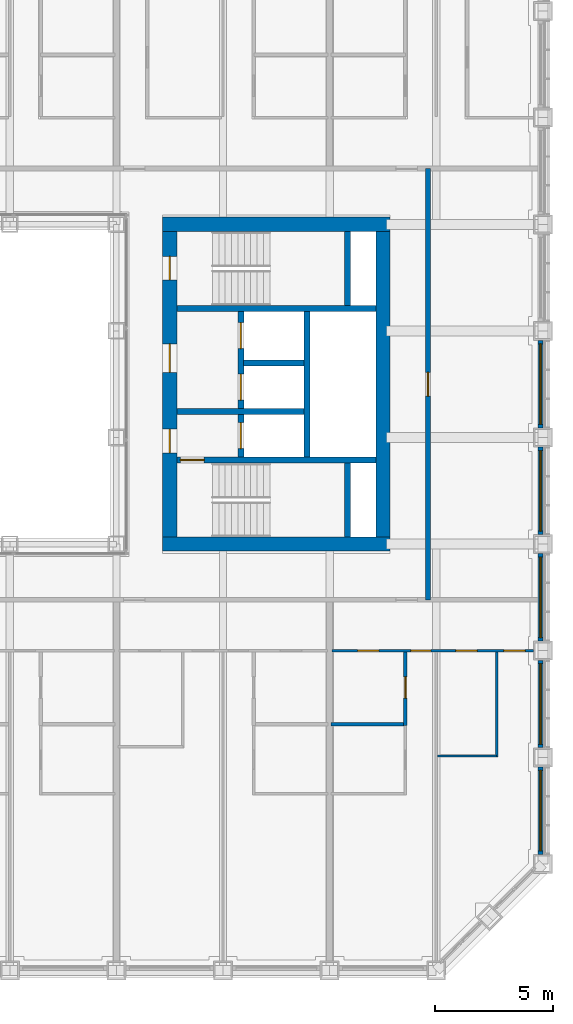
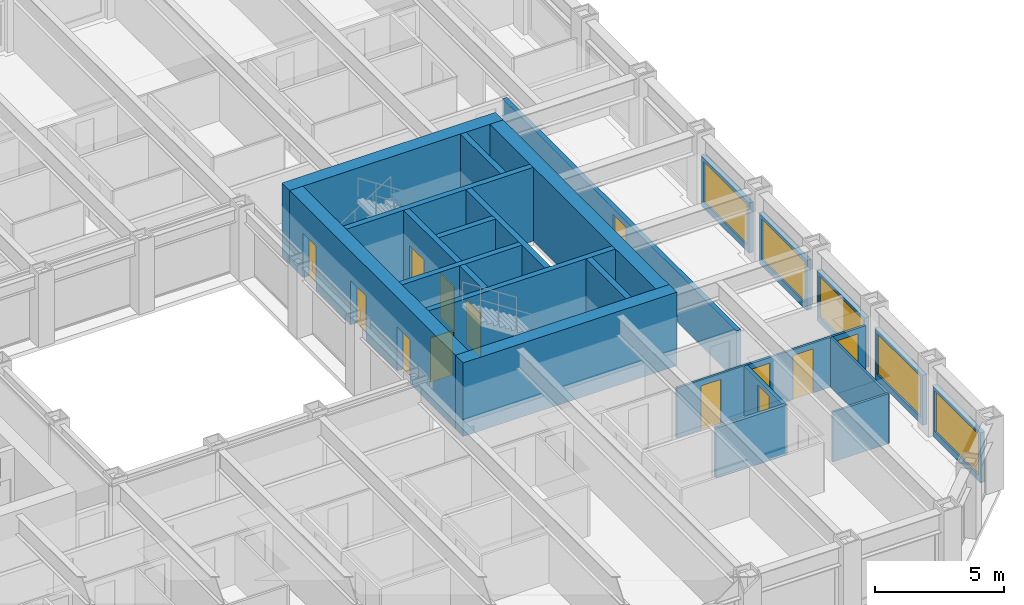
# One storey, part 12 of 21: 23 walls, 13 doors, 5 windows, 18 openings.
"""IFC4 building model written with IfcOpenShell, lengths in metres."""

import ifcopenshell
import ifcopenshell.guid

model = None  # the IFC model being written
_history = None  # IfcOwnerHistory: only IFC2X3 demands one
_inside = {}  # id of a spatial element -> (the spatial element, [elements in it])
_under = {}  # id of a project, library or spatial element -> (it, [spatial elements below it])
_declared = {}  # id of a project -> (the project, [libraries it declares])
_typed = {}  # id of a type object -> (the type object, [elements of that type])
_made_of = {}  # id of a material, layer set ... -> (it, [elements and type objects made of it])


def new_model(schema):
    """Start an empty IFC model of exactly this schema.

    Asked for "IFC4X3", IfcOpenShell would pick the latest addendum, in which some entities
    have other attributes; the version numbers below select the first issue.
    IFC2X3 requires an IfcOwnerHistory on every rooted entity: one is made here for all.
    """
    global model, _history
    if schema == "IFC4X3":
        model = ifcopenshell.file(schema_version=(4, 3, 0, 0))
    else:
        model = ifcopenshell.file(schema=schema)
    _inside.clear()
    _under.clear()
    _declared.clear()
    _typed.clear()
    _made_of.clear()
    _history = None
    if model.schema == "IFC2X3":
        org = make("IfcOrganization", Name="unknown")
        user = make(
            "IfcPersonAndOrganization",
            ThePerson=make("IfcPerson", FamilyName="unknown"),
            TheOrganization=org,
        )
        app = make(
            "IfcApplication",
            ApplicationDeveloper=org,
            Version="unknown",
            ApplicationFullName="unknown",
            ApplicationIdentifier="unknown",
        )
        _history = make(
            "IfcOwnerHistory",
            OwningUser=user,
            OwningApplication=app,
            ChangeAction="ADDED",
            CreationDate=0,
        )
    return model


def make(cls, **values):
    """One entity of the class cls with the attributes given. An attribute that is None is left unset."""
    return model.create_entity(
        cls, **{name: value for name, value in values.items() if value is not None}
    )


def rooted(cls, **values):
    """An entity with a GlobalId (a new one), such as an element, a storey or a relation."""
    return make(cls, GlobalId=ifcopenshell.guid.new(), OwnerHistory=_history, **values)


def si_unit(unit_type, name, prefix=None):
    """IfcSIUnit, for example si_unit("LENGTHUNIT", "METRE", prefix="MILLI")."""
    return make("IfcSIUnit", UnitType=unit_type, Prefix=prefix, Name=name)


def assignment(units):
    """IfcUnitAssignment: the units of a project."""
    return None if units is None else make("IfcUnitAssignment", Units=units)


def point(xyz):
    """IfcCartesianPoint."""
    return None if xyz is None else make("IfcCartesianPoint", Coordinates=xyz)


def direction(xyz):
    """IfcDirection."""
    return None if xyz is None else make("IfcDirection", DirectionRatios=xyz)


def frame(location, z_axis=None, x_axis=None):
    """IfcAxis2Placement3D, a coordinate frame: its origin and axes. An axis left out is left unset."""
    return make(
        "IfcAxis2Placement3D",
        Location=point(location),
        Axis=direction(z_axis),
        RefDirection=direction(x_axis),
    )


def frame_2d(location, x_axis=None):
    """IfcAxis2Placement2D, a coordinate frame in the plane: its origin and x axis."""
    return make(
        "IfcAxis2Placement2D", Location=point(location), RefDirection=direction(x_axis)
    )


def origin():
    """The frame at (0, 0, 0) with its axes left unset."""
    return frame((0.0, 0.0, 0.0))


def place(relative_to, where):
    """IfcLocalPlacement: puts the frame where relative to a parent placement (None: the world)."""
    return make(
        "IfcLocalPlacement", PlacementRelTo=relative_to, RelativePlacement=where
    )


def context(
    kind, dimensions, precision=None, world=None, true_north=None, identifier=None
):
    """IfcGeometricRepresentationContext, for example the 3D "Model" context."""
    return make(
        "IfcGeometricRepresentationContext",
        ContextIdentifier=identifier,
        ContextType=kind,
        CoordinateSpaceDimension=dimensions,
        Precision=precision,
        WorldCoordinateSystem=world,
        TrueNorth=true_north,
    )


def subcontext(parent, identifier, kind, view, scale=None):
    """IfcGeometricRepresentationSubContext, for example "Body" below "Model"."""
    return make(
        "IfcGeometricRepresentationSubContext",
        ContextIdentifier=identifier,
        ContextType=kind,
        ParentContext=parent,
        TargetScale=scale,
        TargetView=view,
    )


def project(units=None, contexts=None):
    """IfcProject with its units and contexts."""
    return rooted(
        "IfcProject",
        Name="project",
        RepresentationContexts=contexts,
        UnitsInContext=assignment(units),
    )


def spatial(cls, under=None, at=None, **own):
    """A site, building, storey or space (cls), placed at a placement, below another one or the project."""
    s = rooted(cls, ObjectPlacement=at, **own)
    if under is not None:
        _under.setdefault(under.id(), (under, []))[1].append(s)
    return s


def profile(cls, at=None, kind="AREA", **sizes):
    """A parametric profile (cls). Its sizes go by their IFC names, for example OverallWidth=200.0."""
    return make(cls, ProfileType=kind, Position=at, **sizes)


def rectangle(**sizes):
    """IfcRectangleProfileDef."""
    return profile("IfcRectangleProfileDef", **sizes)


def extrude(swept, where, along, depth):
    """IfcExtrudedAreaSolid: the profile swept, set in the frame where, extruded along a direction by depth."""
    return make(
        "IfcExtrudedAreaSolid",
        SweptArea=swept,
        Position=where,
        ExtrudedDirection=direction(along),
        Depth=depth,
    )


def shape(context_of_items, identifier, shape_type, items):
    """IfcShapeRepresentation: the items that make up one representation, for example the "Body"."""
    return make(
        "IfcShapeRepresentation",
        ContextOfItems=context_of_items,
        RepresentationIdentifier=identifier,
        RepresentationType=shape_type,
        Items=items,
    )


def material(Name=None, Category=None):
    """IfcMaterial."""
    return make("IfcMaterial", Name=Name, Category=Category)


def layer(
    of_material, thickness, ventilated=None, Name=None, Category=None, Priority=None
):
    """IfcMaterialLayer: one layer of a wall or slab, of a material (None: an air gap)."""
    return make(
        "IfcMaterialLayer",
        Material=of_material,
        LayerThickness=thickness,
        IsVentilated=ventilated,
        Name=Name,
        Category=Category,
        Priority=Priority,
    )


def layer_set(layers, Name=None):
    """IfcMaterialLayerSet."""
    return make("IfcMaterialLayerSet", MaterialLayers=layers, LayerSetName=Name)


def made_of(thing, what):
    """Note that an element or type object is made of a material, layer set ...; save() writes the relation."""
    if what is not None:
        _made_of.setdefault(what.id(), (what, []))[1].append(thing)
    return thing


def type_object(cls, material=None, **own):
    """A type object (cls), such as IfcWallType, which elements share."""
    return made_of(rooted(cls, **own), material)


def element(
    cls,
    number,
    at=None,
    inside=None,
    cuts=None,
    type_object=None,
    material=None,
    context=None,
    identifier="Body",
    shape_type=None,
    held_by="IfcProductDefinitionShape",
    body=None,
    shapes=None,
    **own,
):
    """One element of the class cls, such as IfcWall. Its Tag is "e" and its number.

    at: its placement. inside: the storey or other place that contains it. cuts: it is an
    opening in that element (IfcRelVoidsElement). A single representation is given by context,
    identifier, shape_type and body (its items); several are given by shapes. held_by: the class
    of the entity that holds the representations. save() writes the other relations.
    """
    e = rooted(cls, Tag="e%d" % number, ObjectPlacement=at, **own)
    if body is not None:
        shapes = [shape(context, identifier, shape_type, body)]
    if shapes is not None:
        e.Representation = make(held_by, Representations=shapes)
    if inside is not None:
        _inside.setdefault(inside.id(), (inside, []))[1].append(e)
    if cuts is not None:
        rooted(
            "IfcRelVoidsElement", RelatingBuildingElement=cuts, RelatedOpeningElement=e
        )
    if type_object is not None:
        _typed.setdefault(type_object.id(), (type_object, []))[1].append(e)
    return made_of(e, material)


def fill(opening, filler):
    """IfcRelFillsElement: the door or window that sits in an opening."""
    return rooted(
        "IfcRelFillsElement",
        RelatingOpeningElement=opening,
        RelatedBuildingElement=filler,
    )


def aggregate(whole, parts):
    """IfcRelAggregates: a whole, such as a stair, and the parts it consists of."""
    return rooted("IfcRelAggregates", RelatingObject=whole, RelatedObjects=parts)


def save(model, path):
    """Write the relations noted so far, then the file.

    IfcRelAggregates (storeys below a building ...), IfcRelContainedInSpatialStructure (elements
    in a storey), IfcRelDefinesByType, IfcRelAssociatesMaterial and IfcRelDeclares: one each for
    every whole, place, type object, material and project.
    """
    for whole, parts in _under.values():
        aggregate(whole, parts)
    for where, things in _inside.values():
        rooted(
            "IfcRelContainedInSpatialStructure",
            RelatedElements=things,
            RelatingStructure=where,
        )
    for kind, things in _typed.values():
        rooted("IfcRelDefinesByType", RelatedObjects=things, RelatingType=kind)
    for what, things in _made_of.values():
        rooted("IfcRelAssociatesMaterial", RelatedObjects=things, RelatingMaterial=what)
    for by, libraries in _declared.values():
        rooted("IfcRelDeclares", RelatingContext=by, RelatedDefinitions=libraries)
    model.write(path)


model = new_model("IFC4")

# Units and contexts
model_context = context("Model", 3, precision=1e-05, world=origin(), true_north=direction((0.0, 1.0)))
body_context = subcontext(model_context, "Body", "Model", "MODEL_VIEW")
ifc_project = project(units=[si_unit("LENGTHUNIT", "METRE"), si_unit("AREAUNIT", "SQUARE_METRE"), si_unit("VOLUMEUNIT", "CUBIC_METRE"), si_unit("PLANEANGLEUNIT", "RADIAN"), si_unit("MASSUNIT", "GRAM", prefix="KILO")], contexts=[model_context])

# Site, building, storey
site_placement = place(None, origin())
site = spatial("IfcSite", under=ifc_project, at=site_placement, CompositionType="ELEMENT")
building_placement = place(site_placement, origin())
building = spatial("IfcBuilding", under=site, at=building_placement, Name="Msasa Ring Tower", CompositionType="ELEMENT")
storey_placement = place(building_placement, frame((0.0, 0.0, 54.5)))
storey = spatial("IfcBuildingStorey", under=building, at=storey_placement, Name="L13", CompositionType="ELEMENT", Elevation=54.5)

# Walls
ifc_material_1 = material(Name="Concrete C60/75", Category="concrete")
ifc_layer_1 = layer(ifc_material_1, 0.60009765625)
ifc_layer_set_1 = layer_set([ifc_layer_1], Name="CW1 CORE WALL 600")
wall_type_1 = type_object("IfcWallType", Name="CW1 CORE WALL 600", PredefinedType="SHEAR", material=ifc_layer_set_1)
for number, where, z_axis, x_axis, name in (
    (1, (8.699951171875, -6.75, 0.0), (0.0, 0.0, 1.0), (1.0, 0.0, 0.0), "E core wall S L13"),
    (2, (8.699951171875, 6.75, 0.0), (0.0, 0.0, 1.0), (1.0, 0.0, 0.0), "E core wall N L13"),
):
    element("IfcWall", number, at=place(storey_placement, frame(where, z_axis=z_axis, x_axis=x_axis)), inside=storey, type_object=wall_type_1, Name=name, PredefinedType="SHEAR", context=body_context, shape_type="SweptSolid", body=[
        extrude(rectangle(XDim=9.60009765625, YDim=0.60009765625, at=frame_2d((4.800048828125, 0.0))), origin(), (0.0, 0.0, 1.0), 3.5),
    ])

# Wall, openings, doors
wall_1_placement = place(storey_placement, frame((9.0, -6.449951171875, 0.0), z_axis=(0.0, 0.0, 1.0), x_axis=(0.0, 1.0, 0.0)))
wall_1 = element("IfcWall", 3, at=wall_1_placement, inside=storey, type_object=wall_type_1, Name="E core wall W L13", PredefinedType="SHEAR", context=body_context, shape_type="SweptSolid", body=[
    extrude(rectangle(XDim=12.89990234375, YDim=0.60009765625, at=frame_2d((6.449951171875, 0.0))), origin(), (0.0, 0.0, 1.0), 3.5),
])
opening_1_placement = place(wall_1_placement, frame((3.550048828125, 0.0, 0.0)))
opening_1 = element("IfcOpeningElement", 4, at=opening_1_placement, cuts=wall_1, Name="Opening RC-043", PredefinedType="OPENING", context=body_context, shape_type="SweptSolid", body=[
    extrude(rectangle(XDim=1.0, YDim=2.10009765625, at=frame_2d((0.5, 1.050048828125))), frame((0.0, 0.31005859375, 0.0), z_axis=(0.0, -1.0, 0.0), x_axis=(1.0, 0.0, 0.0)), (0.0, 0.0, 1.0), 0.6201171875),
])
opening_2_placement = place(wall_1_placement, frame((6.949951171875, 0.0, 0.0)))
opening_2 = element("IfcOpeningElement", 5, at=opening_2_placement, cuts=wall_1, Name="Opening RC-039", PredefinedType="OPENING", context=body_context, shape_type="SweptSolid", body=[
    extrude(rectangle(XDim=1.199951171875, YDim=2.10009765625, at=frame_2d((0.60009765625, 1.050048828125))), frame((0.0, 0.31005859375, 0.0), z_axis=(0.0, -1.0, 0.0), x_axis=(1.0, 0.0, 0.0)), (0.0, 0.0, 1.0), 0.6201171875),
])
opening_3_placement = place(wall_1_placement, frame((10.85009765625, 0.0, 0.0)))
opening_3 = element("IfcOpeningElement", 6, at=opening_3_placement, cuts=wall_1, Name="Opening RC-037", PredefinedType="OPENING", context=body_context, shape_type="SweptSolid", body=[
    extrude(rectangle(XDim=1.0, YDim=2.10009765625, at=frame_2d((0.5, 1.050048828125))), frame((0.0, 0.31005859375, 0.0), z_axis=(0.0, -1.0, 0.0), x_axis=(1.0, 0.0, 0.0)), (0.0, 0.0, 1.0), 0.6201171875),
])
ifc_material_2 = material(Name="Timber door leaf in a steel frame", Category="steel")
door_type_1 = type_object("IfcDoorType", Name="D4 LOBBY DOOR 1000x2100", OperationType="SINGLE_SWING_LEFT", PredefinedType="DOOR", material=ifc_material_2)
door_1_placement = place(opening_1_placement, origin())
door_1 = element("IfcDoor", 7, at=door_1_placement, inside=storey, type_object=door_type_1, Name="Door L13-EFFL", OperationType="SINGLE_SWING_LEFT", OverallHeight=2.10009765625, OverallWidth=1.0, PredefinedType="DOOR", context=body_context, shape_type="SweptSolid", body=[
    extrude(rectangle(XDim=1.0, YDim=2.10009765625, at=frame_2d((0.5, 1.050048828125))), frame((0.0, 0.02490234375, 0.0), z_axis=(0.0, -1.0, 0.0), x_axis=(1.0, 0.0, 0.0)), (0.0, 0.0, 1.0), 0.050048828125),
])
fill(opening_1, door_1)
ifc_material_3 = material(Name="Timber door leaf in a steel frame", Category="steel")
door_type_2 = type_object("IfcDoorType", Name="D5 WIDE LOBBY DOOR 1200x2100", OperationType="SINGLE_SWING_LEFT", PredefinedType="DOOR", material=ifc_material_3)
door_2_placement = place(opening_2_placement, origin())
door_2 = element("IfcDoor", 8, at=door_2_placement, inside=storey, type_object=door_type_2, Name="Door L13-ELL", OperationType="SINGLE_SWING_RIGHT", OverallHeight=2.10009765625, OverallWidth=1.199951171875, PredefinedType="DOOR", context=body_context, shape_type="SweptSolid", body=[
    extrude(rectangle(XDim=1.199951171875, YDim=2.10009765625, at=frame_2d((0.60009765625, 1.050048828125))), frame((0.0, 0.02490234375, 0.0), z_axis=(0.0, -1.0, 0.0), x_axis=(1.0, 0.0, 0.0)), (0.0, 0.0, 1.0), 0.050048828125),
])
fill(opening_2, door_2)
ifc_material_4 = material(Name="Timber door leaf in a steel frame", Category="steel")
door_type_3 = type_object("IfcDoorType", Name="D6 STAIR DOOR 1000x2100", OperationType="SINGLE_SWING_LEFT", PredefinedType="DOOR", material=ifc_material_4)
door_3_placement = place(opening_3_placement, origin())
door_3 = element("IfcDoor", 9, at=door_3_placement, inside=storey, type_object=door_type_3, Name="Door L13-ESTB", OperationType="SINGLE_SWING_RIGHT", OverallHeight=2.10009765625, OverallWidth=1.0, PredefinedType="DOOR", context=body_context, shape_type="SweptSolid", body=[
    extrude(rectangle(XDim=1.0, YDim=2.10009765625, at=frame_2d((0.5, 1.050048828125))), frame((0.0, 0.02490234375, 0.0), z_axis=(0.0, -1.0, 0.0), x_axis=(1.0, 0.0, 0.0)), (0.0, 0.0, 1.0), 0.050048828125),
])
fill(opening_3, door_3)

# Wall
wall_2_placement = place(storey_placement, frame((18.0, -6.449951171875, 0.0), z_axis=(0.0, 0.0, 1.0), x_axis=(0.0, 1.0, 0.0)))
element("IfcWall", 10, at=wall_2_placement, inside=storey, type_object=wall_type_1, Name="E core wall E L13", PredefinedType="SHEAR", context=body_context, shape_type="SweptSolid", body=[
    extrude(rectangle(XDim=12.89990234375, YDim=0.60009765625, at=frame_2d((6.449951171875, 0.0))), origin(), (0.0, 0.0, 1.0), 3.5),
])

# Wall, opening, door
ifc_material_5 = material(Name="Concrete C60/75", Category="concrete")
ifc_layer_2 = layer(ifc_material_5, 0.25)
ifc_layer_set_2 = layer_set([ifc_layer_2], Name="CW4 CORE INNER WALL 250")
wall_type_2 = type_object("IfcWallType", Name="CW4 CORE INNER WALL 250", PredefinedType="SHEAR", material=ifc_layer_set_2)
wall_3_placement = place(storey_placement, frame((9.300048828125, -3.199951171875, 0.0), z_axis=(0.0, 0.0, 1.0), x_axis=(1.0, 0.0, 0.0)))
wall_3 = element("IfcWall", 11, at=wall_3_placement, inside=storey, type_object=wall_type_2, Name="E core wall STAIRA L13", PredefinedType="SHEAR", context=body_context, shape_type="SweptSolid", body=[
    extrude(rectangle(XDim=8.39990234375, YDim=0.25, at=frame_2d((4.199951171875, 0.0))), origin(), (0.0, 0.0, 1.0), 3.5),
])
opening_4_placement = place(wall_3_placement, frame((0.14990234375, 0.0, 0.0)))
opening_4 = element("IfcOpeningElement", 12, at=opening_4_placement, cuts=wall_3, Name="Opening RC-045", PredefinedType="OPENING", context=body_context, shape_type="SweptSolid", body=[
    extrude(rectangle(XDim=1.0, YDim=2.10009765625, at=frame_2d((0.5, 1.050048828125))), frame((0.0, 0.135009765625, 0.0), z_axis=(0.0, -1.0, 0.0), x_axis=(1.0, 0.0, 0.0)), (0.0, 0.0, 1.0), 0.27001953125),
])
door_4_placement = place(opening_4_placement, origin())
door_4 = element("IfcDoor", 13, at=door_4_placement, inside=storey, type_object=door_type_3, Name="Door L13-ESTA", OperationType="SINGLE_SWING_LEFT", OverallHeight=2.10009765625, OverallWidth=1.0, PredefinedType="DOOR", context=body_context, shape_type="SweptSolid", body=[
    extrude(rectangle(XDim=1.0, YDim=2.10009765625, at=frame_2d((0.5, 1.050048828125))), frame((0.0, 0.02490234375, 0.0), z_axis=(0.0, -1.0, 0.0), x_axis=(1.0, 0.0, 0.0)), (0.0, 0.0, 1.0), 0.050048828125),
])
fill(opening_4, door_4)

# Walls
wall_4_placement = place(storey_placement, frame((9.300048828125, 3.199951171875, 0.0), z_axis=(0.0, 0.0, 1.0), x_axis=(1.0, 0.0, 0.0)))
element("IfcWall", 14, at=wall_4_placement, inside=storey, type_object=wall_type_2, Name="E core wall STAIRB L13", PredefinedType="SHEAR", context=body_context, shape_type="SweptSolid", body=[
    extrude(rectangle(XDim=8.39990234375, YDim=0.25, at=frame_2d((4.199951171875, 0.0))), origin(), (0.0, 0.0, 1.0), 3.5),
])
for number, where, z_axis, x_axis, name in (
    (15, (16.5, -6.449951171875, 0.0), (0.0, 0.0, 1.0), (0.0, 1.0, 0.0), "E core wall RISERA L13"),
    (16, (16.5, 3.324951171875, 0.0), (0.0, 0.0, 1.0), (0.0, 1.0, 0.0), "E core wall RISERB L13"),
):
    element("IfcWall", number, at=place(storey_placement, frame(where, z_axis=z_axis, x_axis=x_axis)), inside=storey, type_object=wall_type_2, Name=name, PredefinedType="SHEAR", context=body_context, shape_type="SweptSolid", body=[
        extrude(rectangle(XDim=3.125, YDim=0.25, at=frame_2d((1.5625, 0.0))), origin(), (0.0, 0.0, 1.0), 3.5),
    ])
wall_5_placement = place(storey_placement, frame((9.300048828125, -1.14990234375, 0.0), z_axis=(0.0, 0.0, 1.0), x_axis=(1.0, 0.0, 0.0)))
element("IfcWall", 17, at=wall_5_placement, inside=storey, type_object=wall_type_2, Name="E core wall FFL L13", PredefinedType="SHEAR", context=body_context, shape_type="SweptSolid", body=[
    extrude(rectangle(XDim=5.375, YDim=0.25, at=frame_2d((2.6875, 0.0))), origin(), (0.0, 0.0, 1.0), 3.5),
])

# Wall, openings, doors
wall_6_placement = place(storey_placement, frame((12.0, -3.074951171875, 0.0), z_axis=(0.0, 0.0, 1.0), x_axis=(0.0, 1.0, 0.0)))
wall_6 = element("IfcWall", 18, at=wall_6_placement, inside=storey, type_object=wall_type_2, Name="E core wall LOBBY L13", PredefinedType="SHEAR", context=body_context, shape_type="SweptSolid", body=[
    extrude(rectangle(XDim=6.14990234375, YDim=0.25, at=frame_2d((3.074951171875, 0.0))), origin(), (0.0, 0.0, 1.0), 3.5),
])
opening_5_placement = place(wall_6_placement, frame((0.35009765625, 0.0, 0.0)))
opening_5 = element("IfcOpeningElement", 19, at=opening_5_placement, cuts=wall_6, Name="Opening LD1", PredefinedType="OPENING", context=body_context, shape_type="SweptSolid", body=[
    extrude(rectangle(XDim=1.10009765625, YDim=2.10009765625, at=frame_2d((0.550048828125, 1.050048828125))), frame((0.0, 0.135009765625, 0.0), z_axis=(0.0, -1.0, 0.0), x_axis=(1.0, 0.0, 0.0)), (0.0, 0.0, 1.0), 0.27001953125),
])
opening_6_placement = place(wall_6_placement, frame((2.39990234375, 0.0, 0.0)))
opening_6 = element("IfcOpeningElement", 20, at=opening_6_placement, cuts=wall_6, Name="Opening LD1", PredefinedType="OPENING", context=body_context, shape_type="SweptSolid", body=[
    extrude(rectangle(XDim=1.10009765625, YDim=2.10009765625, at=frame_2d((0.550048828125, 1.050048828125))), frame((0.0, 0.135009765625, 0.0), z_axis=(0.0, -1.0, 0.0), x_axis=(1.0, 0.0, 0.0)), (0.0, 0.0, 1.0), 0.27001953125),
])
opening_7_placement = place(wall_6_placement, frame((4.574951171875, 0.0, 0.0)))
opening_7 = element("IfcOpeningElement", 21, at=opening_7_placement, cuts=wall_6, Name="Opening LD1", PredefinedType="OPENING", context=body_context, shape_type="SweptSolid", body=[
    extrude(rectangle(XDim=1.10009765625, YDim=2.10009765625, at=frame_2d((0.550048828125, 1.050048828125))), frame((0.0, 0.135009765625, 0.0), z_axis=(0.0, -1.0, 0.0), x_axis=(1.0, 0.0, 0.0)), (0.0, 0.0, 1.0), 0.27001953125),
])
ifc_material_6 = material(Name="Stainless steel lift landing door", Category="steel")
door_type_4 = type_object("IfcDoorType", Name="LD1 LIFT LANDING DOOR 1100x2100", OperationType="DOUBLE_DOOR_SLIDING", PredefinedType="DOOR", material=ifc_material_6)
door_5_placement = place(opening_5_placement, origin())
door_5 = element("IfcDoor", 22, at=door_5_placement, inside=storey, type_object=door_type_4, Name="Lift landing door FL-E L13", OperationType="DOUBLE_DOOR_SLIDING", OverallHeight=2.10009765625, OverallWidth=1.10009765625, PredefinedType="DOOR", context=body_context, shape_type="SweptSolid", body=[
    extrude(rectangle(XDim=1.10009765625, YDim=2.10009765625, at=frame_2d((0.550048828125, 1.050048828125))), frame((0.0, 0.02490234375, 0.0), z_axis=(0.0, -1.0, 0.0), x_axis=(1.0, 0.0, 0.0)), (0.0, 0.0, 1.0), 0.050048828125),
])
fill(opening_5, door_5)
door_6_placement = place(opening_6_placement, origin())
door_6 = element("IfcDoor", 23, at=door_6_placement, inside=storey, type_object=door_type_4, Name="Lift landing door PL-R1 L13", OperationType="DOUBLE_DOOR_SLIDING", OverallHeight=2.10009765625, OverallWidth=1.10009765625, PredefinedType="DOOR", context=body_context, shape_type="SweptSolid", body=[
    extrude(rectangle(XDim=1.10009765625, YDim=2.10009765625, at=frame_2d((0.550048828125, 1.050048828125))), frame((0.0, 0.02490234375, 0.0), z_axis=(0.0, -1.0, 0.0), x_axis=(1.0, 0.0, 0.0)), (0.0, 0.0, 1.0), 0.050048828125),
])
fill(opening_6, door_6)
door_7_placement = place(opening_7_placement, origin())
door_7 = element("IfcDoor", 24, at=door_7_placement, inside=storey, type_object=door_type_4, Name="Lift landing door PL-R2 L13", OperationType="DOUBLE_DOOR_SLIDING", OverallHeight=2.10009765625, OverallWidth=1.10009765625, PredefinedType="DOOR", context=body_context, shape_type="SweptSolid", body=[
    extrude(rectangle(XDim=1.10009765625, YDim=2.10009765625, at=frame_2d((0.550048828125, 1.050048828125))), frame((0.0, 0.02490234375, 0.0), z_axis=(0.0, -1.0, 0.0), x_axis=(1.0, 0.0, 0.0)), (0.0, 0.0, 1.0), 0.050048828125),
])
fill(opening_7, door_7)

# Walls
wall_7_placement = place(storey_placement, frame((14.800048828125, -3.074951171875, 0.0), z_axis=(0.0, 0.0, 1.0), x_axis=(0.0, 1.0, 0.0)))
element("IfcWall", 25, at=wall_7_placement, inside=storey, type_object=wall_type_2, Name="E core wall SHAFT L13", PredefinedType="SHEAR", context=body_context, shape_type="SweptSolid", body=[
    extrude(rectangle(XDim=6.14990234375, YDim=0.25, at=frame_2d((3.074951171875, 0.0))), origin(), (0.0, 0.0, 1.0), 3.5),
])
wall_8_placement = place(storey_placement, frame((12.125, 0.89990234375, 0.0), z_axis=(0.0, 0.0, 1.0), x_axis=(1.0, 0.0, 0.0)))
element("IfcWall", 26, at=wall_8_placement, inside=storey, type_object=wall_type_2, Name="E core wall LIFT1 L13", PredefinedType="SHEAR", context=body_context, shape_type="SweptSolid", body=[
    extrude(rectangle(XDim=2.550048828125, YDim=0.25, at=frame_2d((1.27490234375, 0.0))), origin(), (0.0, 0.0, 1.0), 3.5),
])

# Wall, opening, window
ifc_material_7 = material(Name="Terracotta rainscreen on blockwork", Category="masonry")
ifc_layer_3 = layer(ifc_material_7, 0.199951171875)
ifc_layer_set_3 = layer_set([ifc_layer_3], Name="FW1 TERRACOTTA-LINED INFILL BAY WALL 200")
wall_type_3 = type_object("IfcWallType", Name="FW1 TERRACOTTA-LINED INFILL BAY WALL 200", PredefinedType="SOLIDWALL", material=ifc_layer_set_3)
wall_9_placement = place(storey_placement, frame((24.64990234375, -19.844970703125, 0.0), z_axis=(0.0, 0.0, 1.0), x_axis=(0.0, 1.0, 0.0)))
wall_9 = element("IfcWall", 27, at=wall_9_placement, inside=storey, type_object=wall_type_3, Name="Infill bay wall E L13 11", PredefinedType="SOLIDWALL", context=body_context, shape_type="SweptSolid", body=[
    extrude(rectangle(XDim=3.68994140625, YDim=0.199951171875, at=frame_2d((1.844970703125, 0.0))), origin(), (0.0, 0.0, 1.0), 2.37890625),
])
opening_8_placement = place(wall_9_placement, frame((0.14501953125, 0.0, 0.300048828125)))
opening_8 = element("IfcOpeningElement", 28, at=opening_8_placement, cuts=wall_9, Name="Opening WN1", PredefinedType="OPENING", context=body_context, shape_type="SweptSolid", body=[
    extrude(rectangle(XDim=3.39990234375, YDim=1.928955078125, at=frame_2d((1.699951171875, 0.96435546875))), frame((0.0, 0.10986328125, 0.0), z_axis=(0.0, -1.0, 0.0), x_axis=(1.0, 0.0, 0.0)), (0.0, 0.0, 1.0), 0.219970703125),
])
ifc_material_8 = material(Name="Aluminium frame with clear glass", Category="aluminium")
window_type = type_object("IfcWindowType", Name="WN1 RESIDENCE WINDOW 3400x1929", PartitioningType="SINGLE_PANEL", PredefinedType="WINDOW", material=ifc_material_8)
window_1_placement = place(opening_8_placement, origin())
window_1 = element("IfcWindow", 29, at=window_1_placement, inside=storey, type_object=window_type, Name="Window E L13 11", OverallHeight=1.928955078125, OverallWidth=3.39990234375, PartitioningType="SINGLE_PANEL", PredefinedType="WINDOW", context=body_context, shape_type="SweptSolid", body=[
    extrude(rectangle(XDim=3.39990234375, YDim=1.928955078125, at=frame_2d((1.699951171875, 0.96435546875))), frame((0.0, 0.030029296875, 0.0), z_axis=(0.0, -1.0, 0.0), x_axis=(1.0, 0.0, 0.0)), (0.0, 0.0, 1.0), 0.06005859375),
])
fill(opening_8, window_1)

wall_10_placement = place(storey_placement, frame((24.64990234375, -15.344970703125, 0.0), z_axis=(0.0, 0.0, 1.0), x_axis=(0.0, 1.0, 0.0)))
wall_10 = element("IfcWall", 30, at=wall_10_placement, inside=storey, type_object=wall_type_3, Name="Infill bay wall E L13 12", PredefinedType="SOLIDWALL", context=body_context, shape_type="SweptSolid", body=[
    extrude(rectangle(XDim=3.68994140625, YDim=0.199951171875, at=frame_2d((1.844970703125, 0.0))), origin(), (0.0, 0.0, 1.0), 2.37890625),
])
opening_9_placement = place(wall_10_placement, frame((0.14501953125, 0.0, 0.300048828125)))
opening_9 = element("IfcOpeningElement", 31, at=opening_9_placement, cuts=wall_10, Name="Opening WN1", PredefinedType="OPENING", context=body_context, shape_type="SweptSolid", body=[
    extrude(rectangle(XDim=3.39990234375, YDim=1.928955078125, at=frame_2d((1.699951171875, 0.96435546875))), frame((0.0, 0.10986328125, 0.0), z_axis=(0.0, -1.0, 0.0), x_axis=(1.0, 0.0, 0.0)), (0.0, 0.0, 1.0), 0.219970703125),
])
window_2_placement = place(opening_9_placement, origin())
window_2 = element("IfcWindow", 32, at=window_2_placement, inside=storey, type_object=window_type, Name="Window E L13 12", OverallHeight=1.928955078125, OverallWidth=3.39990234375, PartitioningType="SINGLE_PANEL", PredefinedType="WINDOW", context=body_context, shape_type="SweptSolid", body=[
    extrude(rectangle(XDim=3.39990234375, YDim=1.928955078125, at=frame_2d((1.699951171875, 0.96435546875))), frame((0.0, 0.030029296875, 0.0), z_axis=(0.0, -1.0, 0.0), x_axis=(1.0, 0.0, 0.0)), (0.0, 0.0, 1.0), 0.06005859375),
])
fill(opening_9, window_2)

wall_11_placement = place(storey_placement, frame((24.64990234375, -10.844970703125, 0.0), z_axis=(0.0, 0.0, 1.0), x_axis=(0.0, 1.0, 0.0)))
wall_11 = element("IfcWall", 33, at=wall_11_placement, inside=storey, type_object=wall_type_3, Name="Infill bay wall E L13 13", PredefinedType="SOLIDWALL", context=body_context, shape_type="SweptSolid", body=[
    extrude(rectangle(XDim=3.68994140625, YDim=0.199951171875, at=frame_2d((1.844970703125, 0.0))), origin(), (0.0, 0.0, 1.0), 2.37890625),
])
opening_10_placement = place(wall_11_placement, frame((0.14501953125, 0.0, 0.300048828125)))
opening_10 = element("IfcOpeningElement", 34, at=opening_10_placement, cuts=wall_11, Name="Opening WN1", PredefinedType="OPENING", context=body_context, shape_type="SweptSolid", body=[
    extrude(rectangle(XDim=3.39990234375, YDim=1.928955078125, at=frame_2d((1.699951171875, 0.96435546875))), frame((0.0, 0.10986328125, 0.0), z_axis=(0.0, -1.0, 0.0), x_axis=(1.0, 0.0, 0.0)), (0.0, 0.0, 1.0), 0.219970703125),
])
window_3_placement = place(opening_10_placement, origin())
window_3 = element("IfcWindow", 35, at=window_3_placement, inside=storey, type_object=window_type, Name="Window E L13 13", OverallHeight=1.928955078125, OverallWidth=3.39990234375, PartitioningType="SINGLE_PANEL", PredefinedType="WINDOW", context=body_context, shape_type="SweptSolid", body=[
    extrude(rectangle(XDim=3.39990234375, YDim=1.928955078125, at=frame_2d((1.699951171875, 0.96435546875))), frame((0.0, 0.030029296875, 0.0), z_axis=(0.0, -1.0, 0.0), x_axis=(1.0, 0.0, 0.0)), (0.0, 0.0, 1.0), 0.06005859375),
])
fill(opening_10, window_3)

wall_12_placement = place(storey_placement, frame((24.64990234375, -6.344970703125, 0.0), z_axis=(0.0, 0.0, 1.0), x_axis=(0.0, 1.0, 0.0)))
wall_12 = element("IfcWall", 36, at=wall_12_placement, inside=storey, type_object=wall_type_3, Name="Infill bay wall E L13 14", PredefinedType="SOLIDWALL", context=body_context, shape_type="SweptSolid", body=[
    extrude(rectangle(XDim=3.68994140625, YDim=0.199951171875, at=frame_2d((1.844970703125, 0.0))), origin(), (0.0, 0.0, 1.0), 2.37890625),
])
opening_11_placement = place(wall_12_placement, frame((0.14501953125, 0.0, 0.300048828125)))
opening_11 = element("IfcOpeningElement", 37, at=opening_11_placement, cuts=wall_12, Name="Opening WN1", PredefinedType="OPENING", context=body_context, shape_type="SweptSolid", body=[
    extrude(rectangle(XDim=3.39990234375, YDim=1.928955078125, at=frame_2d((1.699951171875, 0.96435546875))), frame((0.0, 0.10986328125, 0.0), z_axis=(0.0, -1.0, 0.0), x_axis=(1.0, 0.0, 0.0)), (0.0, 0.0, 1.0), 0.219970703125),
])
window_4_placement = place(opening_11_placement, origin())
window_4 = element("IfcWindow", 38, at=window_4_placement, inside=storey, type_object=window_type, Name="Window E L13 14", OverallHeight=1.928955078125, OverallWidth=3.39990234375, PartitioningType="SINGLE_PANEL", PredefinedType="WINDOW", context=body_context, shape_type="SweptSolid", body=[
    extrude(rectangle(XDim=3.39990234375, YDim=1.928955078125, at=frame_2d((1.699951171875, 0.96435546875))), frame((0.0, 0.030029296875, 0.0), z_axis=(0.0, -1.0, 0.0), x_axis=(1.0, 0.0, 0.0)), (0.0, 0.0, 1.0), 0.06005859375),
])
fill(opening_11, window_4)

wall_13_placement = place(storey_placement, frame((24.64990234375, -1.844970703125, 0.0), z_axis=(0.0, 0.0, 1.0), x_axis=(0.0, 1.0, 0.0)))
wall_13 = element("IfcWall", 39, at=wall_13_placement, inside=storey, type_object=wall_type_3, Name="Infill bay wall E L13 15", PredefinedType="SOLIDWALL", context=body_context, shape_type="SweptSolid", body=[
    extrude(rectangle(XDim=3.68994140625, YDim=0.199951171875, at=frame_2d((1.844970703125, 0.0))), origin(), (0.0, 0.0, 1.0), 2.37890625),
])
opening_12_placement = place(wall_13_placement, frame((0.14501953125, 0.0, 0.300048828125)))
opening_12 = element("IfcOpeningElement", 40, at=opening_12_placement, cuts=wall_13, Name="Opening WN1", PredefinedType="OPENING", context=body_context, shape_type="SweptSolid", body=[
    extrude(rectangle(XDim=3.39990234375, YDim=1.928955078125, at=frame_2d((1.699951171875, 0.96435546875))), frame((0.0, 0.10986328125, 0.0), z_axis=(0.0, -1.0, 0.0), x_axis=(1.0, 0.0, 0.0)), (0.0, 0.0, 1.0), 0.219970703125),
])
window_5_placement = place(opening_12_placement, origin())
window_5 = element("IfcWindow", 41, at=window_5_placement, inside=storey, type_object=window_type, Name="Window E L13 15", OverallHeight=1.928955078125, OverallWidth=3.39990234375, PartitioningType="SINGLE_PANEL", PredefinedType="WINDOW", context=body_context, shape_type="SweptSolid", body=[
    extrude(rectangle(XDim=3.39990234375, YDim=1.928955078125, at=frame_2d((1.699951171875, 0.96435546875))), frame((0.0, 0.030029296875, 0.0), z_axis=(0.0, -1.0, 0.0), x_axis=(1.0, 0.0, 0.0)), (0.0, 0.0, 1.0), 0.06005859375),
])
fill(opening_12, window_5)

# Wall, opening, door
ifc_material_9 = material(Name="Concrete blockwork", Category="masonry")
ifc_layer_4 = layer(ifc_material_9, 0.199951171875)
ifc_layer_set_4 = layer_set([ifc_layer_4], Name="PT1 CORRIDOR WALL 200")
wall_type_4 = type_object("IfcWallType", Name="PT1 CORRIDOR WALL 200", PredefinedType="PARTITIONING", material=ifc_layer_set_4)
wall_14_placement = place(storey_placement, frame((19.89990234375, -9.10009765625, 0.0), z_axis=(0.0, 0.0, 1.0), x_axis=(0.0, 1.0, 0.0)))
wall_14 = element("IfcWall", 42, at=wall_14_placement, inside=storey, type_object=wall_type_4, Name="Corridor wall L13-STRE", PredefinedType="PARTITIONING", context=body_context, shape_type="SweptSolid", body=[
    extrude(rectangle(XDim=18.2001953125, YDim=0.199951171875, at=frame_2d((9.10009765625, 0.0))), origin(), (0.0, 0.0, 1.0), 2.373291015625),
])
opening_13_placement = place(wall_14_placement, frame((8.60009765625, 0.0, 0.0)))
opening_13 = element("IfcOpeningElement", 43, at=opening_13_placement, cuts=wall_14, Name="Opening RC-040", PredefinedType="OPENING", context=body_context, shape_type="SweptSolid", body=[
    extrude(rectangle(XDim=1.0, YDim=2.10009765625, at=frame_2d((0.5, 1.050048828125))), frame((0.0, 0.10986328125, 0.0), z_axis=(0.0, -1.0, 0.0), x_axis=(1.0, 0.0, 0.0)), (0.0, 0.0, 1.0), 0.219970703125),
])
ifc_material_10 = material(Name="Timber door leaf in a steel frame", Category="steel")
door_type_5 = type_object("IfcDoorType", Name="D10 STORE DOOR 1000x2100", OperationType="SINGLE_SWING_LEFT", PredefinedType="DOOR", material=ifc_material_10)
door_8_placement = place(opening_13_placement, origin())
door_8 = element("IfcDoor", 44, at=door_8_placement, inside=storey, type_object=door_type_5, Name="Door L13-RSE", OperationType="SINGLE_SWING_LEFT", OverallHeight=2.10009765625, OverallWidth=1.0, PredefinedType="DOOR", context=body_context, shape_type="SweptSolid", body=[
    extrude(rectangle(XDim=1.0, YDim=2.10009765625, at=frame_2d((0.5, 1.050048828125))), frame((0.0, 0.02490234375, 0.0), z_axis=(0.0, -1.0, 0.0), x_axis=(1.0, 0.0, 0.0)), (0.0, 0.0, 1.0), 0.050048828125),
])
fill(opening_13, door_8)

# Wall, openings, doors
ifc_material_11 = material(Name="Gypsum board on steel studs", Category="steel")
ifc_layer_5 = layer(ifc_material_11, 0.10009765625)
ifc_layer_set_5 = layer_set([ifc_layer_5], Name="PT2 STUD PARTITION 100")
wall_type_5 = type_object("IfcWallType", Name="PT2 STUD PARTITION 100", PredefinedType="PARTITIONING", material=ifc_layer_set_5)
wall_15_placement = place(storey_placement, frame((15.85009765625, -11.25, 0.0), z_axis=(0.0, 0.0, 1.0), x_axis=(1.0, 0.0, 0.0)))
wall_15 = element("IfcWall", 45, at=wall_15_placement, inside=storey, type_object=wall_type_5, Name="Partition L13-US04HY", PredefinedType="PARTITIONING", context=body_context, shape_type="SweptSolid", body=[
    extrude(rectangle(XDim=8.5, YDim=0.10009765625, at=frame_2d((4.25, 0.0))), origin(), (0.0, 0.0, 1.0), 2.373291015625),
])
opening_14_placement = place(wall_15_placement, frame((5.22509765625, 0.0, 0.0)))
opening_14 = element("IfcOpeningElement", 46, at=opening_14_placement, cuts=wall_15, Name="Opening RC-072", PredefinedType="OPENING", context=body_context, shape_type="SweptSolid", body=[
    extrude(rectangle(XDim=0.89990234375, YDim=2.10009765625, at=frame_2d((0.449951171875, 1.050048828125))), frame((0.0, 0.06005859375, 0.0), z_axis=(0.0, -1.0, 0.0), x_axis=(1.0, 0.0, 0.0)), (0.0, 0.0, 1.0), 0.1201171875),
])
opening_15_placement = place(wall_15_placement, frame((7.25, 0.0, 0.0)))
opening_15 = element("IfcOpeningElement", 47, at=opening_15_placement, cuts=wall_15, Name="Opening RC-073", PredefinedType="OPENING", context=body_context, shape_type="SweptSolid", body=[
    extrude(rectangle(XDim=0.89990234375, YDim=2.10009765625, at=frame_2d((0.449951171875, 1.050048828125))), frame((0.0, 0.06005859375, 0.0), z_axis=(0.0, -1.0, 0.0), x_axis=(1.0, 0.0, 0.0)), (0.0, 0.0, 1.0), 0.1201171875),
])
opening_16_placement = place(wall_15_placement, frame((3.324951171875, 0.0, 0.0)))
opening_16 = element("IfcOpeningElement", 48, at=opening_16_placement, cuts=wall_15, Name="Opening RC-071", PredefinedType="OPENING", context=body_context, shape_type="SweptSolid", body=[
    extrude(rectangle(XDim=0.85009765625, YDim=2.10009765625, at=frame_2d((0.425048828125, 1.050048828125))), frame((0.0, 0.06005859375, 0.0), z_axis=(0.0, -1.0, 0.0), x_axis=(1.0, 0.0, 0.0)), (0.0, 0.0, 1.0), 0.1201171875),
])
opening_17_placement = place(wall_15_placement, frame((1.080078125, 0.0, 0.0)))
opening_17 = element("IfcOpeningElement", 49, at=opening_17_placement, cuts=wall_15, Name="Opening RC-070", PredefinedType="OPENING", context=body_context, shape_type="SweptSolid", body=[
    extrude(rectangle(XDim=0.89990234375, YDim=2.10009765625, at=frame_2d((0.449951171875, 1.050048828125))), frame((0.0, 0.06005859375, 0.0), z_axis=(0.0, -1.0, 0.0), x_axis=(1.0, 0.0, 0.0)), (0.0, 0.0, 1.0), 0.1201171875),
])
ifc_material_12 = material(Name="Timber door leaf in a steel frame", Category="steel")
door_type_6 = type_object("IfcDoorType", Name="D14 BEDROOM DOOR 850x2100", OperationType="SINGLE_SWING_LEFT", PredefinedType="DOOR", material=ifc_material_12)
door_9_placement = place(opening_16_placement, origin())
door_9 = element("IfcDoor", 50, at=door_9_placement, inside=storey, type_object=door_type_6, Name="Door L13-US04R1", OperationType="SINGLE_SWING_LEFT", OverallHeight=2.10009765625, OverallWidth=0.85009765625, PredefinedType="DOOR", context=body_context, shape_type="SweptSolid", body=[
    extrude(rectangle(XDim=0.85009765625, YDim=2.10009765625, at=frame_2d((0.425048828125, 1.050048828125))), frame((0.0, 0.02490234375, 0.0), z_axis=(0.0, -1.0, 0.0), x_axis=(1.0, 0.0, 0.0)), (0.0, 0.0, 1.0), 0.050048828125),
])
fill(opening_16, door_9)
ifc_material_13 = material(Name="Timber door leaf in a steel frame", Category="steel")
door_type_7 = type_object("IfcDoorType", Name="D22 INTERNAL HALL DOOR 900x2100", OperationType="SINGLE_SWING_LEFT", PredefinedType="DOOR", material=ifc_material_13)
door_10_placement = place(opening_14_placement, origin())
door_10 = element("IfcDoor", 51, at=door_10_placement, inside=storey, type_object=door_type_7, Name="Door L13-US04K", OperationType="SINGLE_SWING_RIGHT", OverallHeight=2.10009765625, OverallWidth=0.89990234375, PredefinedType="DOOR", context=body_context, shape_type="SweptSolid", body=[
    extrude(rectangle(XDim=0.89990234375, YDim=2.10009765625, at=frame_2d((0.449951171875, 1.050048828125))), frame((0.0, 0.02490234375, 0.0), z_axis=(0.0, -1.0, 0.0), x_axis=(1.0, 0.0, 0.0)), (0.0, 0.0, 1.0), 0.050048828125),
])
fill(opening_14, door_10)
door_11_placement = place(opening_15_placement, origin())
door_11 = element("IfcDoor", 52, at=door_11_placement, inside=storey, type_object=door_type_7, Name="Door L13-US04L", OperationType="SINGLE_SWING_RIGHT", OverallHeight=2.10009765625, OverallWidth=0.89990234375, PredefinedType="DOOR", context=body_context, shape_type="SweptSolid", body=[
    extrude(rectangle(XDim=0.89990234375, YDim=2.10009765625, at=frame_2d((0.449951171875, 1.050048828125))), frame((0.0, 0.02490234375, 0.0), z_axis=(0.0, -1.0, 0.0), x_axis=(1.0, 0.0, 0.0)), (0.0, 0.0, 1.0), 0.050048828125),
])
fill(opening_15, door_11)
ifc_material_14 = material(Name="Timber door leaf in a steel frame", Category="steel")
door_type_8 = type_object("IfcDoorType", Name="D3 BATHROOM DOOR 900x2100", OperationType="SINGLE_SWING_LEFT", PredefinedType="DOOR", material=ifc_material_14)
door_12_placement = place(opening_17_placement, origin())
door_12 = element("IfcDoor", 53, at=door_12_placement, inside=storey, type_object=door_type_8, Name="Door L13-US04BH1", OperationType="SINGLE_SWING_LEFT", OverallHeight=2.10009765625, OverallWidth=0.89990234375, PredefinedType="DOOR", context=body_context, shape_type="SweptSolid", body=[
    extrude(rectangle(XDim=0.89990234375, YDim=2.10009765625, at=frame_2d((0.449951171875, 1.050048828125))), frame((0.0, 0.02490234375, 0.0), z_axis=(0.0, -1.0, 0.0), x_axis=(1.0, 0.0, 0.0)), (0.0, 0.0, 1.0), 0.050048828125),
])
fill(opening_17, door_12)

# Walls
wall_16_placement = place(storey_placement, frame((22.800048828125, -15.7421875, 0.0), z_axis=(0.0, 0.0, 1.0), x_axis=(0.0, 1.0, 0.0)))
element("IfcWall", 54, at=wall_16_placement, inside=storey, type_object=wall_type_5, Name="Partition L13-US04KX", PredefinedType="PARTITIONING", context=body_context, shape_type="SweptSolid", body=[
    extrude(rectangle(XDim=4.442138671875, YDim=0.10009765625, at=frame_2d((2.22119140625, 0.0))), origin(), (0.0, 0.0, 1.0), 2.373291015625),
])
wall_17_placement = place(storey_placement, frame((20.300048828125, -15.692138671875, 0.0), z_axis=(0.0, 0.0, 1.0), x_axis=(1.0, 0.0, 0.0)))
element("IfcWall", 55, at=wall_17_placement, inside=storey, type_object=wall_type_5, Name="Partition L13-US04KY", PredefinedType="PARTITIONING", context=body_context, shape_type="SweptSolid", body=[
    extrude(rectangle(XDim=2.5, YDim=0.10009765625, at=frame_2d((1.25, 0.0))), origin(), (0.0, 0.0, 1.0), 2.373291015625),
])

# Wall, opening, door
ifc_material_15 = material(Name="Moisture-resistant board on steel studs with a concealed cistern and pipe void, tiled", Category="steel")
ifc_layer_6 = layer(ifc_material_15, 0.14990234375)
ifc_layer_set_6 = layer_set([ifc_layer_6], Name="PT4 BATHROOM WET WALL 150")
wall_type_6 = type_object("IfcWallType", Name="PT4 BATHROOM WET WALL 150", PredefinedType="PARTITIONING", material=ifc_layer_set_6)
wall_18_placement = place(storey_placement, frame((18.949951171875, -14.39990234375, 0.0), z_axis=(0.0, 0.0, 1.0), x_axis=(0.0, 1.0, 0.0)))
wall_18 = element("IfcWall", 56, at=wall_18_placement, inside=storey, type_object=wall_type_6, Name="Partition L13-US04BX1", PredefinedType="PARTITIONING", context=body_context, shape_type="SweptSolid", body=[
    extrude(rectangle(XDim=3.099853515625, YDim=0.14990234375, at=frame_2d((1.5498046875, 0.0))), origin(), (0.0, 0.0, 1.0), 2.373291015625),
])
opening_18_placement = place(wall_18_placement, frame((1.14990234375, 0.0, 0.0)))
opening_18 = element("IfcOpeningElement", 57, at=opening_18_placement, cuts=wall_18, Name="Opening RC-079", PredefinedType="OPENING", context=body_context, shape_type="SweptSolid", body=[
    extrude(rectangle(XDim=0.89990234375, YDim=2.10009765625, at=frame_2d((0.449951171875, 1.050048828125))), frame((0.0, 0.0849609375, 0.0), z_axis=(0.0, -1.0, 0.0), x_axis=(1.0, 0.0, 0.0)), (0.0, 0.0, 1.0), 0.169921875),
])
door_13_placement = place(opening_18_placement, origin())
door_13 = element("IfcDoor", 58, at=door_13_placement, inside=storey, type_object=door_type_8, Name="Door L13-US04B1", OperationType="SINGLE_SWING_RIGHT", OverallHeight=2.10009765625, OverallWidth=0.89990234375, PredefinedType="DOOR", context=body_context, shape_type="SweptSolid", body=[
    extrude(rectangle(XDim=0.89990234375, YDim=2.10009765625, at=frame_2d((0.449951171875, 1.050048828125))), frame((0.0, 0.02490234375, 0.0), z_axis=(0.0, -1.0, 0.0), x_axis=(1.0, 0.0, 0.0)), (0.0, 0.0, 1.0), 0.050048828125),
])
fill(opening_18, door_13)

# Wall
wall_19_placement = place(storey_placement, frame((15.81005859375, -14.35009765625, 0.0), z_axis=(0.0, 0.0, 1.0), x_axis=(1.0, 0.0, 0.0)))
element("IfcWall", 59, at=wall_19_placement, inside=storey, type_object=wall_type_6, Name="Partition L13-US04BY1", PredefinedType="PARTITIONING", context=body_context, shape_type="SweptSolid", body=[
    extrude(rectangle(XDim=3.139892578125, YDim=0.14990234375, at=frame_2d((1.56982421875, 0.0))), origin(), (0.0, 0.0, 1.0), 2.373291015625),
])

save(model, "model.ifc")
